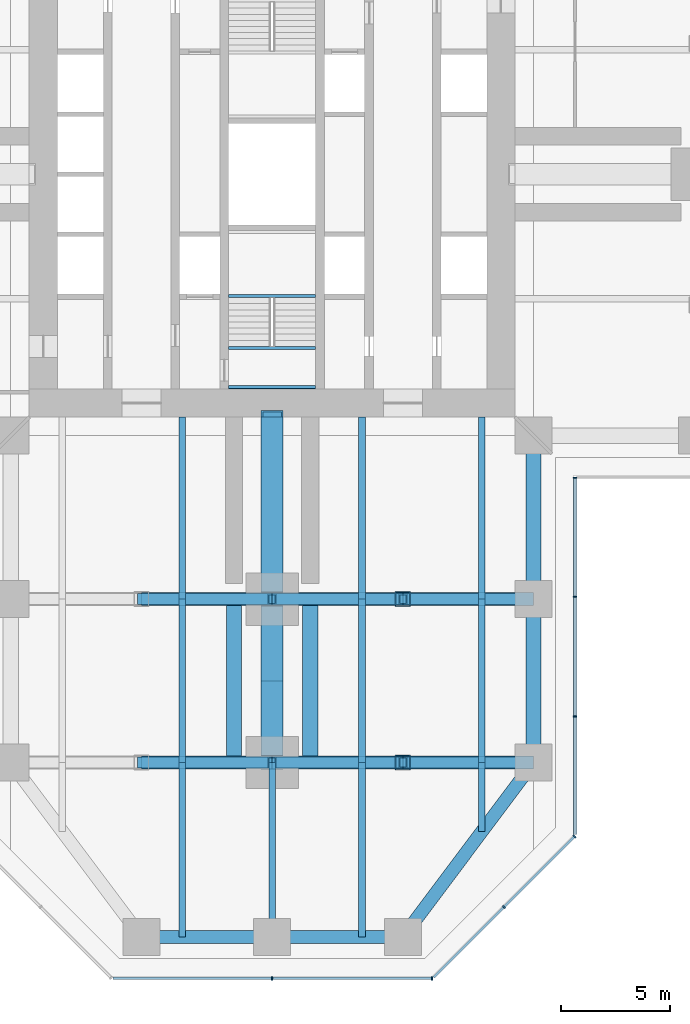
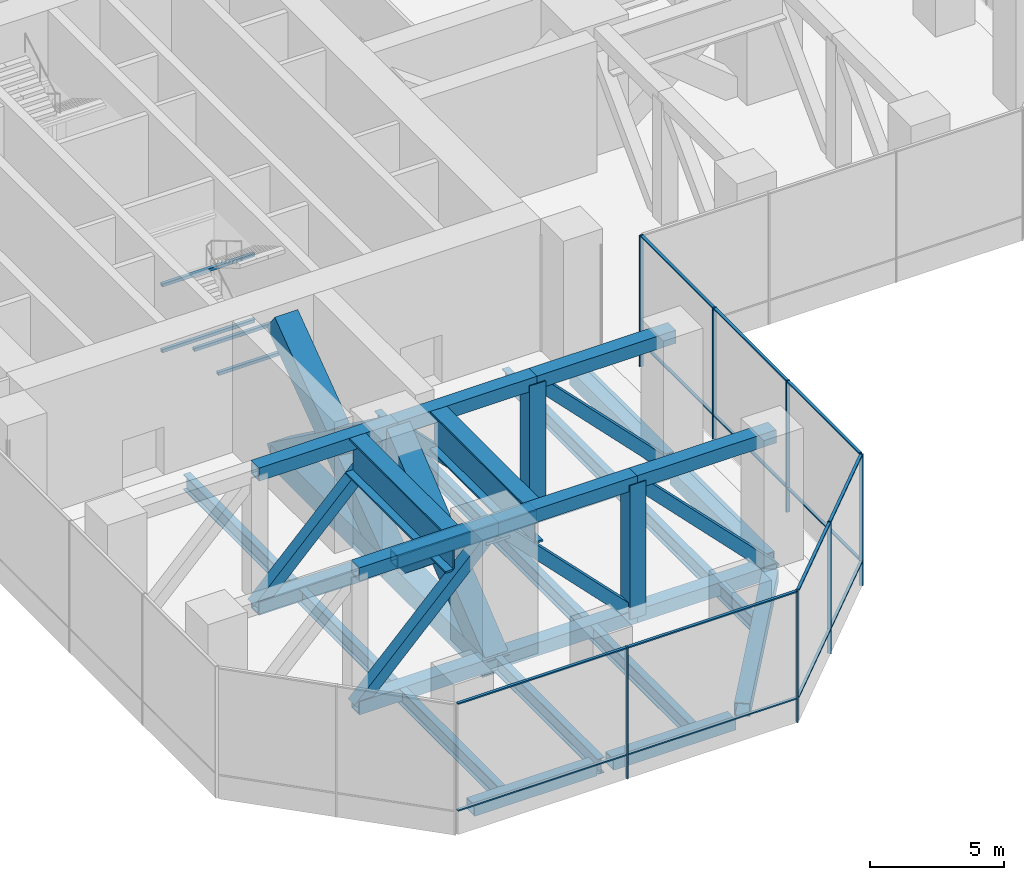
# One storey, part 4 of 19: 45 members, 23 beams, 3 elements without a shape of their own.
"""IFC4 building model written with IfcOpenShell, lengths in metres."""

from ifc_helpers import new_model, si_unit, direction, frame, origin, origin_2d, place, context, subcontext, project, spatial, rectangle, hollow_rectangle, i_section, extrude, material, material_profile, profile_set, type_object, element, aggregate, save


model = new_model("IFC4")

# Units and contexts
model_context = context("Model", 3, precision=1e-05, world=origin(), true_north=direction((0.0, 1.0)))
body_context = subcontext(model_context, "Body", "Model", "MODEL_VIEW")
ifc_project = project(units=[si_unit("LENGTHUNIT", "METRE"), si_unit("AREAUNIT", "SQUARE_METRE"), si_unit("VOLUMEUNIT", "CUBIC_METRE"), si_unit("PLANEANGLEUNIT", "RADIAN"), si_unit("MASSUNIT", "GRAM", prefix="KILO")], contexts=[model_context])

# Site, building, storey
site_placement = place(None, origin())
site = spatial("IfcSite", under=ifc_project, at=site_placement, CompositionType="ELEMENT")
building_placement = place(site_placement, origin())
building = spatial("IfcBuilding", under=site, at=building_placement, Name="Mizan Broadcast Tower", CompositionType="ELEMENT")
storey_placement = place(building_placement, frame((0.0, 0.0, 37.5)))
storey = spatial("IfcBuildingStorey", under=building, at=storey_placement, Name="L06", CompositionType="ELEMENT", Elevation=37.5)

# Members
ifc_material_1 = material(Name="Steel S460", Category="steel")
ifc_material_profile_1 = material_profile(ifc_material_1, hollow_rectangle(XDim=0.60009765625, YDim=0.60009765625, WallThickness=0.06005859375, at=origin_2d()), Name="BOX 600x600x60")
ifc_profile_set_1 = profile_set([ifc_material_profile_1], Name="Steel S460")
member_type_1 = type_object("IfcMemberType", Name="BELT TRUSS BT1 CHORD BOX 600x600x60", PredefinedType="CHORD", material=ifc_profile_set_1)
for number, where, z_axis, x_axis, name in (
    (1, (-6.0, -19.5, -0.550048828125), (1.0, 0.0, 0.0), (0.0, 1.0, 0.0), "Belt truss BT1-S19 bottom chord 2"),
    (2, (-6.0, -19.5, 5.570068359375), (1.0, 0.0, 0.0), (0.0, 1.0, 0.0), "Belt truss BT1-S19 top chord 2"),
    (3, (0.0, -19.5, -0.550048828125), (1.0, 0.0, 0.0), (0.0, 1.0, 0.0), "Belt truss BT1-S19 bottom chord 3"),
    (4, (0.0, -19.5, 5.570068359375), (1.0, 0.0, 0.0), (0.0, 1.0, 0.0), "Belt truss BT1-S19 top chord 3"),
    (5, (6.0, -19.5, -0.550048828125), (1.0, 0.0, 0.0), (0.0, 1.0, 0.0), "Belt truss BT1-S19 bottom chord 4"),
    (6, (6.0, -19.5, 5.570068359375), (1.0, 0.0, 0.0), (0.0, 1.0, 0.0), "Belt truss BT1-S19 top chord 4"),
    (7, (-6.0, -27.0, -0.550048828125), (1.0, 0.0, 0.0), (0.0, 1.0, 0.0), "Belt truss BT1-S27 bottom chord 2"),
    (8, (-6.0, -27.0, 5.570068359375), (1.0, 0.0, 0.0), (0.0, 1.0, 0.0), "Belt truss BT1-S27 top chord 2"),
    (9, (0.0, -27.0, -0.550048828125), (1.0, 0.0, 0.0), (0.0, 1.0, 0.0), "Belt truss BT1-S27 bottom chord 3"),
    (10, (0.0, -27.0, 5.570068359375), (1.0, 0.0, 0.0), (0.0, 1.0, 0.0), "Belt truss BT1-S27 top chord 3"),
    (11, (6.0, -27.0, -0.550048828125), (1.0, 0.0, 0.0), (0.0, 1.0, 0.0), "Belt truss BT1-S27 bottom chord 4"),
    (12, (6.0, -27.0, 5.570068359375), (1.0, 0.0, 0.0), (0.0, 1.0, 0.0), "Belt truss BT1-S27 top chord 4"),
):
    element("IfcMember", number, at=place(storey_placement, frame(where, z_axis=z_axis, x_axis=x_axis)), inside=storey, type_object=member_type_1, Name=name, PredefinedType="CHORD", context=body_context, shape_type="SweptSolid", body=[
        extrude(hollow_rectangle(XDim=0.60009765625, YDim=0.60009765625, WallThickness=0.06005859375, at=origin_2d()), origin(), (0.0, 0.0, 1.0), 6.0),
    ])
ifc_material_2 = material(Name="Steel S460", Category="steel")
ifc_material_profile_2 = material_profile(ifc_material_2, hollow_rectangle(XDim=0.5, YDim=0.5, WallThickness=0.050048828125, at=origin_2d()), Name="BOX 500x500x50")
ifc_profile_set_2 = profile_set([ifc_material_profile_2], Name="Steel S460")
member_type_2 = type_object("IfcMemberType", Name="BELT TRUSS BT1 DIAGONAL BOX 500x500x50", PredefinedType="BRACE", material=ifc_profile_set_2)
for number, where, z_axis, x_axis, name in (
    (13, (-6.0, -19.5, -0.550048828125), (0.700064575666, 0.0, 0.714079540316), (0.0, 1.0, 0.0), "Belt truss BT1-S19 diagonal 2"),
    (14, (6.0, -19.5, -0.550048828125), (-0.700064575666, 0.0, 0.714079540316), (0.0, -1.0, 0.0), "Belt truss BT1-S19 diagonal 3"),
    (15, (12.0, -19.5, -0.550048828125), (-0.700064575666, 0.0, 0.714079540316), (0.0, -1.0, 0.0), "Belt truss BT1-S19 diagonal 4"),
    (16, (-6.0, -27.0, -0.550048828125), (0.700064575666, 0.0, 0.714079540316), (0.0, 1.0, 0.0), "Belt truss BT1-S27 diagonal 2"),
    (17, (6.0, -27.0, -0.550048828125), (-0.700064575666, 0.0, 0.714079540316), (0.0, -1.0, 0.0), "Belt truss BT1-S27 diagonal 3"),
    (18, (12.0, -27.0, -0.550048828125), (-0.700064575666, 0.0, 0.714079540316), (0.0, -1.0, 0.0), "Belt truss BT1-S27 diagonal 4"),
):
    element("IfcMember", number, at=place(storey_placement, frame(where, z_axis=z_axis, x_axis=x_axis)), inside=storey, type_object=member_type_2, Name=name, PredefinedType="BRACE", context=body_context, shape_type="SweptSolid", body=[
        extrude(hollow_rectangle(XDim=0.5, YDim=0.5, WallThickness=0.050048828125, at=origin_2d()), origin(), (0.0, 0.0, 1.0), 8.570556640625),
    ])
ifc_material_3 = material(Name="Steel S460", Category="steel")
ifc_material_profile_3 = material_profile(ifc_material_3, hollow_rectangle(XDim=0.699951171875, YDim=0.699951171875, WallThickness=0.0400390625, at=origin_2d()), Name="BOX 700x700x40")
ifc_profile_set_3 = profile_set([ifc_material_profile_3], Name="Steel S460")
member_type_3 = type_object("IfcMemberType", Name="BELT TRUSS BT1 POST BOX 700x700x40", PredefinedType="POST", material=ifc_profile_set_3)
for number, where, z_axis, x_axis, name in (
    (19, (6.0, -19.5, -0.550048828125), (0.0, 0.0, 1.0), (1.0, 0.0, 0.0), "Belt truss BT1-S19 post 3"),
    (20, (6.0, -27.0, -0.550048828125), (0.0, 0.0, 1.0), (1.0, 0.0, 0.0), "Belt truss BT1-S27 post 3"),
):
    element("IfcMember", number, at=place(storey_placement, frame(where, z_axis=z_axis, x_axis=x_axis)), inside=storey, type_object=member_type_3, Name=name, PredefinedType="POST", context=body_context, shape_type="SweptSolid", body=[
        extrude(hollow_rectangle(XDim=0.699951171875, YDim=0.699951171875, WallThickness=0.0400390625, at=origin_2d()), origin(), (0.0, 0.0, 1.0), 6.1201171875),
    ])

# Beams
ifc_material_4 = material(Name="Steel S355", Category="steel")
ifc_material_profile_4 = material_profile(ifc_material_4, hollow_rectangle(XDim=0.60009765625, YDim=0.5, WallThickness=0.030029296875, at=origin_2d()), Name="BOX 500x600x30")
ifc_profile_set_4 = profile_set([ifc_material_profile_4], Name="Steel S355")
beam_type_1 = type_object("IfcBeamType", Name="EDGE BEAM BOX 500x600x30", PredefinedType="SPANDREL", material=ifc_profile_set_4)
for number, where, z_axis, x_axis, name in (
    (21, (-5.639892578125, -35.0, -0.5), (1.0, 0.0, 0.0), (0.0, 1.0, 0.0), "Edge beam BOX 500x600x30 L06 south arm"),
    (22, (5.639892578125, -35.0, -0.5), (-1.0, 0.0, 0.0), (0.0, -1.0, 0.0), "Edge beam BOX 500x600x30 L06 south arm"),
):
    element("IfcBeam", number, at=place(storey_placement, frame(where, z_axis=z_axis, x_axis=x_axis)), inside=storey, type_object=beam_type_1, Name=name, PredefinedType="SPANDREL", context=body_context, shape_type="SweptSolid", body=[
        extrude(hollow_rectangle(XDim=0.60009765625, YDim=0.5, WallThickness=0.030029296875, at=origin_2d()), origin(), (0.0, 0.0, 1.0), 5.27978515625),
    ])
ifc_material_5 = material(Name="Steel S355", Category="steel")
ifc_material_profile_5 = material_profile(ifc_material_5, hollow_rectangle(XDim=0.60009765625, YDim=0.60009765625, WallThickness=0.030029296875, at=origin_2d()), Name="BOX 600x600x30")
ifc_profile_set_5 = profile_set([ifc_material_profile_5], Name="Steel S355")
beam_type_2 = type_object("IfcBeamType", Name="EDGE BEAM BOX 600x600x30", PredefinedType="SPANDREL", material=ifc_profile_set_5)
beam_1_placement = place(storey_placement, frame((11.639892578125, -27.47998046875, -0.550048828125), z_axis=(-0.599982243973, -0.800013316712, 0.0), x_axis=(0.800013316712, -0.599982243973, 0.0)))
element("IfcBeam", 23, at=beam_1_placement, inside=storey, type_object=beam_type_2, Name="Edge beam BOX 600x600x30 L06 south arm", PredefinedType="SPANDREL", context=body_context, shape_type="SweptSolid", body=[
    extrude(hollow_rectangle(XDim=0.60009765625, YDim=0.60009765625, WallThickness=0.030029296875, at=origin_2d()), origin(), (0.0, 0.0, 1.0), 8.7998046875),
])
ifc_material_6 = material(Name="Steel S355", Category="steel")
ifc_material_profile_6 = material_profile(ifc_material_6, hollow_rectangle(XDim=0.699951171875, YDim=0.699951171875, WallThickness=0.0400390625, at=origin_2d()), Name="BOX 700x700x40")
ifc_profile_set_6 = profile_set([ifc_material_profile_6], Name="Steel S355")
beam_type_3 = type_object("IfcBeamType", Name="EDGE BEAM BOX 700x700x40", PredefinedType="SPANDREL", material=ifc_profile_set_6)
for number, where, z_axis, x_axis, name in (
    (24, (12.0, -12.449951171875, -0.60009765625), (0.0, -1.0, 0.0), (1.0, 0.0, 0.0), "Edge beam BOX 700x700x40 L06 south arm"),
    (25, (12.0, -19.949951171875, -0.60009765625), (0.0, -1.0, 0.0), (1.0, 0.0, 0.0), "Edge beam BOX 700x700x40 L06 south arm"),
):
    element("IfcBeam", number, at=place(storey_placement, frame(where, z_axis=z_axis, x_axis=x_axis)), inside=storey, type_object=beam_type_3, Name=name, PredefinedType="SPANDREL", context=body_context, shape_type="SweptSolid", body=[
        extrude(hollow_rectangle(XDim=0.699951171875, YDim=0.699951171875, WallThickness=0.0400390625, at=origin_2d()), origin(), (0.0, 0.0, 1.0), 6.60009765625),
    ])

# Curtain wall, members
ifc_material_7 = material(Name="Aluminium framed glazing", Category="aluminium")
curtain_wall_type = type_object("IfcCurtainWallType", Name="PLANT LOUVRE", PredefinedType="USERDEFINED", material=ifc_material_7)
curtain_wall_1_placement = place(storey_placement, origin())
curtain_wall_1 = element("IfcCurtainWall", 26, at=curtain_wall_1_placement, inside=storey, type_object=curtain_wall_type, Name="Plant louvre L06 S end", ObjectType="PLANT LOUVRE", PredefinedType="USERDEFINED")
ifc_material_8 = material(Name="Aluminium, pale anodised", Category="aluminium")
ifc_material_profile_7 = material_profile(ifc_material_8, rectangle(XDim=0.159912109375, YDim=0.06005859375, at=origin_2d()), Name="MULLION 160x60")
ifc_profile_set_7 = profile_set([ifc_material_profile_7], Name="Aluminium, pale anodised")
member_type_4 = type_object("IfcMemberType", Name="INNER SKIN MULLION 60x160", PredefinedType="MULLION", material=ifc_profile_set_7)
member_1_placement = place(storey_placement, frame((0.0, -36.89990234375, 0.0), z_axis=(0.0, 0.0, 1.0), x_axis=(0.0, 1.0, 0.0)))
member_1 = element("IfcMember", 27, at=member_1_placement, type_object=member_type_4, Name="Plant louvre L06 S end mullion 2", PredefinedType="MULLION", context=body_context, shape_type="SweptSolid", body=[
    extrude(rectangle(XDim=0.159912109375, YDim=0.06005859375, at=origin_2d()), origin(), (0.0, 0.0, 1.0), 6.0),
])
member_2_placement = place(storey_placement, frame((7.3427734375, -36.89990234375, 0.0), z_axis=(0.0, 0.0, 1.0), x_axis=(0.0, 1.0, 0.0)))
member_2 = element("IfcMember", 28, at=member_2_placement, type_object=member_type_4, Name="Plant louvre L06 S end mullion 3", PredefinedType="MULLION", context=body_context, shape_type="SweptSolid", body=[
    extrude(rectangle(XDim=0.159912109375, YDim=0.06005859375, at=origin_2d()), origin(), (0.0, 0.0, 1.0), 6.0),
])

curtain_wall_2_placement = place(storey_placement, origin())
curtain_wall_2 = element("IfcCurtainWall", 29, at=curtain_wall_2_placement, inside=storey, type_object=curtain_wall_type, Name="Plant louvre L06 S chamfer", ObjectType="PLANT LOUVRE", PredefinedType="USERDEFINED")
member_3_placement = place(storey_placement, frame((10.636474609375, -33.636474609375, 0.0), z_axis=(0.0, 0.0, 1.0), x_axis=(-0.707106781187, 0.707106781187, 0.0)))
member_3 = element("IfcMember", 30, at=member_3_placement, type_object=member_type_4, Name="Plant louvre L06 S chamfer mullion 2", PredefinedType="MULLION", context=body_context, shape_type="SweptSolid", body=[
    extrude(rectangle(XDim=0.159912109375, YDim=0.06005859375, at=origin_2d()), origin(), (0.0, 0.0, 1.0), 6.0),
])
member_4_placement = place(storey_placement, frame((13.87890625, -30.39404296875, 0.0), z_axis=(0.0, 0.0, 1.0), x_axis=(-0.707106781187, 0.707106781187, 0.0)))
member_4 = element("IfcMember", 31, at=member_4_placement, type_object=member_type_4, Name="Plant louvre L06 S chamfer mullion 3", PredefinedType="MULLION", context=body_context, shape_type="SweptSolid", body=[
    extrude(rectangle(XDim=0.159912109375, YDim=0.06005859375, at=origin_2d()), origin(), (0.0, 0.0, 1.0), 6.0),
])

curtain_wall_3_placement = place(storey_placement, origin())
curtain_wall_3 = element("IfcCurtainWall", 32, at=curtain_wall_3_placement, inside=storey, type_object=curtain_wall_type, Name="Plant louvre L06 S side", ObjectType="PLANT LOUVRE", PredefinedType="USERDEFINED")
member_5_placement = place(storey_placement, frame((13.89990234375, -24.8818359375, 0.0), z_axis=(0.0, 0.0, 1.0), x_axis=(-1.0, 0.0, 0.0)))
member_5 = element("IfcMember", 33, at=member_5_placement, type_object=member_type_4, Name="Plant louvre L06 S side mullion 2", PredefinedType="MULLION", context=body_context, shape_type="SweptSolid", body=[
    extrude(rectangle(XDim=0.159912109375, YDim=0.06005859375, at=origin_2d()), origin(), (0.0, 0.0, 1.0), 6.0),
])
member_6_placement = place(storey_placement, frame((13.89990234375, -19.390869140625, 0.0), z_axis=(0.0, 0.0, 1.0), x_axis=(-1.0, 0.0, 0.0)))
member_6 = element("IfcMember", 34, at=member_6_placement, type_object=member_type_4, Name="Plant louvre L06 S side mullion 3", PredefinedType="MULLION", context=body_context, shape_type="SweptSolid", body=[
    extrude(rectangle(XDim=0.159912109375, YDim=0.06005859375, at=origin_2d()), origin(), (0.0, 0.0, 1.0), 6.0),
])
member_7_placement = place(storey_placement, frame((13.89990234375, -13.929931640625, 0.0), z_axis=(0.0, 0.0, 1.0), x_axis=(-1.0, 0.0, 0.0)))
member_7 = element("IfcMember", 35, at=member_7_placement, type_object=member_type_4, Name="Plant louvre L06 S side mullion 4", PredefinedType="MULLION", context=body_context, shape_type="SweptSolid", body=[
    extrude(rectangle(XDim=0.159912109375, YDim=0.06005859375, at=origin_2d()), origin(), (0.0, 0.0, 1.0), 6.0),
])

# Member
ifc_material_9 = material(Name="Aluminium, pale anodised", Category="aluminium")
ifc_material_profile_8 = material_profile(ifc_material_9, rectangle(XDim=0.1201171875, YDim=0.06005859375, at=origin_2d()), Name="TRANSOM 120x60")
ifc_profile_set_8 = profile_set([ifc_material_profile_8], Name="Aluminium, pale anodised")
member_type_5 = type_object("IfcMemberType", Name="INNER SKIN TRANSOM 60x120", PredefinedType="USERDEFINED", material=ifc_profile_set_8)
member_8_placement = place(storey_placement, frame((-7.312744140625, -36.89990234375, 1.10009765625), z_axis=(1.0, 0.0, 0.0), x_axis=(0.0, 1.0, 0.0)))
member_8 = element("IfcMember", 36, at=member_8_placement, type_object=member_type_5, Name="Plant louvre L06 S end transom 1.1", ObjectType="TRANSOM", PredefinedType="USERDEFINED", context=body_context, shape_type="SweptSolid", body=[
    extrude(rectangle(XDim=0.1201171875, YDim=0.06005859375, at=origin_2d()), origin(), (0.0, 0.0, 1.0), 7.28271484375),
])

member_9_placement = place(storey_placement, frame((-7.312744140625, -36.89990234375, 5.969970703125), z_axis=(1.0, 0.0, 0.0), x_axis=(0.0, 1.0, 0.0)))
member_9 = element("IfcMember", 37, at=member_9_placement, type_object=member_type_5, Name="Plant louvre L06 S end transom 1.2", ObjectType="TRANSOM", PredefinedType="USERDEFINED", context=body_context, shape_type="SweptSolid", body=[
    extrude(rectangle(XDim=0.1201171875, YDim=0.06005859375, at=origin_2d()), origin(), (0.0, 0.0, 1.0), 7.28271484375),
])

member_10_placement = place(storey_placement, frame((0.030029296875, -36.89990234375, 1.10009765625), z_axis=(1.0, 0.0, 0.0), x_axis=(0.0, 1.0, 0.0)))
member_10 = element("IfcMember", 38, at=member_10_placement, type_object=member_type_5, Name="Plant louvre L06 S end transom 2.1", ObjectType="TRANSOM", PredefinedType="USERDEFINED", context=body_context, shape_type="SweptSolid", body=[
    extrude(rectangle(XDim=0.1201171875, YDim=0.06005859375, at=origin_2d()), origin(), (0.0, 0.0, 1.0), 7.28271484375),
])

member_11_placement = place(storey_placement, frame((0.030029296875, -36.89990234375, 5.969970703125), z_axis=(1.0, 0.0, 0.0), x_axis=(0.0, 1.0, 0.0)))
member_11 = element("IfcMember", 39, at=member_11_placement, type_object=member_type_5, Name="Plant louvre L06 S end transom 2.2", ObjectType="TRANSOM", PredefinedType="USERDEFINED", context=body_context, shape_type="SweptSolid", body=[
    extrude(rectangle(XDim=0.1201171875, YDim=0.06005859375, at=origin_2d()), origin(), (0.0, 0.0, 1.0), 7.28271484375),
])

aggregate(curtain_wall_1, [member_1, member_2, member_8, member_9, member_10, member_11])

member_12_placement = place(storey_placement, frame((7.415283203125, -36.857666015625, 1.10009765625), z_axis=(0.707106781187, 0.707106781187, 0.0), x_axis=(-0.707106781187, 0.707106781187, 0.0)))
member_12 = element("IfcMember", 40, at=member_12_placement, type_object=member_type_5, Name="Plant louvre L06 S chamfer transom 1.1", ObjectType="TRANSOM", PredefinedType="USERDEFINED", context=body_context, shape_type="SweptSolid", body=[
    extrude(rectangle(XDim=0.1201171875, YDim=0.06005859375, at=origin_2d()), origin(), (0.0, 0.0, 1.0), 4.525390625),
])

member_13_placement = place(storey_placement, frame((7.415283203125, -36.857666015625, 5.969970703125), z_axis=(0.707106781187, 0.707106781187, 0.0), x_axis=(-0.707106781187, 0.707106781187, 0.0)))
member_13 = element("IfcMember", 41, at=member_13_placement, type_object=member_type_5, Name="Plant louvre L06 S chamfer transom 1.2", ObjectType="TRANSOM", PredefinedType="USERDEFINED", context=body_context, shape_type="SweptSolid", body=[
    extrude(rectangle(XDim=0.1201171875, YDim=0.06005859375, at=origin_2d()), origin(), (0.0, 0.0, 1.0), 4.525390625),
])

member_14_placement = place(storey_placement, frame((10.65771484375, -33.615234375, 1.10009765625), z_axis=(0.707106781187, 0.707106781187, 0.0), x_axis=(-0.707106781187, 0.707106781187, 0.0)))
member_14 = element("IfcMember", 42, at=member_14_placement, type_object=member_type_5, Name="Plant louvre L06 S chamfer transom 2.1", ObjectType="TRANSOM", PredefinedType="USERDEFINED", context=body_context, shape_type="SweptSolid", body=[
    extrude(rectangle(XDim=0.1201171875, YDim=0.06005859375, at=origin_2d()), origin(), (0.0, 0.0, 1.0), 4.525390625),
])

member_15_placement = place(storey_placement, frame((10.65771484375, -33.615234375, 5.969970703125), z_axis=(0.707106781187, 0.707106781187, 0.0), x_axis=(-0.707106781187, 0.707106781187, 0.0)))
member_15 = element("IfcMember", 43, at=member_15_placement, type_object=member_type_5, Name="Plant louvre L06 S chamfer transom 2.2", ObjectType="TRANSOM", PredefinedType="USERDEFINED", context=body_context, shape_type="SweptSolid", body=[
    extrude(rectangle(XDim=0.1201171875, YDim=0.06005859375, at=origin_2d()), origin(), (0.0, 0.0, 1.0), 4.525390625),
])

aggregate(curtain_wall_2, [member_3, member_4, member_12, member_13, member_14, member_15])

member_16_placement = place(storey_placement, frame((13.89990234375, -30.312744140625, 1.10009765625), z_axis=(0.0, 1.0, 0.0), x_axis=(-1.0, 0.0, 0.0)))
member_16 = element("IfcMember", 44, at=member_16_placement, type_object=member_type_5, Name="Plant louvre L06 S side transom 1.1", ObjectType="TRANSOM", PredefinedType="USERDEFINED", context=body_context, shape_type="SweptSolid", body=[
    extrude(rectangle(XDim=0.1201171875, YDim=0.06005859375, at=origin_2d()), origin(), (0.0, 0.0, 1.0), 5.40087890625),
])

member_17_placement = place(storey_placement, frame((13.89990234375, -30.312744140625, 5.969970703125), z_axis=(0.0, 1.0, 0.0), x_axis=(-1.0, 0.0, 0.0)))
member_17 = element("IfcMember", 45, at=member_17_placement, type_object=member_type_5, Name="Plant louvre L06 S side transom 1.2", ObjectType="TRANSOM", PredefinedType="USERDEFINED", context=body_context, shape_type="SweptSolid", body=[
    extrude(rectangle(XDim=0.1201171875, YDim=0.06005859375, at=origin_2d()), origin(), (0.0, 0.0, 1.0), 5.40087890625),
])

member_18_placement = place(storey_placement, frame((13.89990234375, -24.851806640625, 1.10009765625), z_axis=(0.0, 1.0, 0.0), x_axis=(-1.0, 0.0, 0.0)))
member_18 = element("IfcMember", 46, at=member_18_placement, type_object=member_type_5, Name="Plant louvre L06 S side transom 2.1", ObjectType="TRANSOM", PredefinedType="USERDEFINED", context=body_context, shape_type="SweptSolid", body=[
    extrude(rectangle(XDim=0.1201171875, YDim=0.06005859375, at=origin_2d()), origin(), (0.0, 0.0, 1.0), 5.430908203125),
])

member_19_placement = place(storey_placement, frame((13.89990234375, -24.851806640625, 5.969970703125), z_axis=(0.0, 1.0, 0.0), x_axis=(-1.0, 0.0, 0.0)))
member_19 = element("IfcMember", 47, at=member_19_placement, type_object=member_type_5, Name="Plant louvre L06 S side transom 2.2", ObjectType="TRANSOM", PredefinedType="USERDEFINED", context=body_context, shape_type="SweptSolid", body=[
    extrude(rectangle(XDim=0.1201171875, YDim=0.06005859375, at=origin_2d()), origin(), (0.0, 0.0, 1.0), 5.430908203125),
])

member_20_placement = place(storey_placement, frame((13.89990234375, -19.36083984375, 1.10009765625), z_axis=(0.0, 1.0, 0.0), x_axis=(-1.0, 0.0, 0.0)))
member_20 = element("IfcMember", 48, at=member_20_placement, type_object=member_type_5, Name="Plant louvre L06 S side transom 3.1", ObjectType="TRANSOM", PredefinedType="USERDEFINED", context=body_context, shape_type="SweptSolid", body=[
    extrude(rectangle(XDim=0.1201171875, YDim=0.06005859375, at=origin_2d()), origin(), (0.0, 0.0, 1.0), 5.40087890625),
])

member_21_placement = place(storey_placement, frame((13.89990234375, -19.36083984375, 5.969970703125), z_axis=(0.0, 1.0, 0.0), x_axis=(-1.0, 0.0, 0.0)))
member_21 = element("IfcMember", 49, at=member_21_placement, type_object=member_type_5, Name="Plant louvre L06 S side transom 3.2", ObjectType="TRANSOM", PredefinedType="USERDEFINED", context=body_context, shape_type="SweptSolid", body=[
    extrude(rectangle(XDim=0.1201171875, YDim=0.06005859375, at=origin_2d()), origin(), (0.0, 0.0, 1.0), 5.40087890625),
])

aggregate(curtain_wall_3, [member_5, member_6, member_7, member_16, member_17, member_18, member_19, member_20, member_21])

# Beams
ifc_material_10 = material(Name="Steel S355", Category="steel")
ifc_material_profile_9 = material_profile(ifc_material_10, hollow_rectangle(XDim=0.14990234375, YDim=0.14990234375, WallThickness=0.008056640625, InnerFilletRadius=0.008056640625, OuterFilletRadius=0.011962890625, at=origin_2d()), Name="SHS 150x150x8")
ifc_profile_set_9 = profile_set([ifc_material_profile_9], Name="Steel S355")
beam_type_4 = type_object("IfcBeamType", Name="LANDING TRIMMER SHS 150x150x8", PredefinedType="BEAM", material=ifc_profile_set_9)
for number, where, z_axis, x_axis, name in (
    (50, (-2.0, -5.5849609375, 1.22509765625), (1.0, 0.0, 0.0), (0.0, 1.0, 0.0), "Stair A landing trimmer L06"),
    (51, (-2.0, -9.77490234375, 2.72509765625), (1.0, 0.0, 0.0), (0.0, 1.0, 0.0), "Stair A landing trimmer L06"),
    (52, (-2.0, -7.97509765625, 2.72509765625), (1.0, 0.0, 0.0), (0.0, 1.0, 0.0), "Stair A landing trimmer L06"),
    (53, (-2.0, -5.5849609375, 4.22509765625), (1.0, 0.0, 0.0), (0.0, 1.0, 0.0), "Stair A landing trimmer L06"),
):
    element("IfcBeam", number, at=place(storey_placement, frame(where, z_axis=z_axis, x_axis=x_axis)), inside=storey, type_object=beam_type_4, Name=name, PredefinedType="BEAM", context=body_context, shape_type="SweptSolid", body=[
        extrude(hollow_rectangle(XDim=0.14990234375, YDim=0.14990234375, WallThickness=0.008056640625, InnerFilletRadius=0.008056640625, OuterFilletRadius=0.011962890625, at=origin_2d()), origin(), (0.0, 0.0, 1.0), 4.0),
    ])
ifc_material_11 = material(Name="Steel S460", Category="steel")
ifc_material_profile_10 = material_profile(ifc_material_11, hollow_rectangle(XDim=1.0, YDim=1.0, WallThickness=0.080078125, at=origin_2d()), Name="BOX 1000x1000x80")
ifc_profile_set_10 = profile_set([ifc_material_profile_10], Name="Steel S460")
beam_type_5 = type_object("IfcBeamType", Name="OUTRIGGER TRUSS OT1 CHORD BOX 1000x1000x80", PredefinedType="BEAM", material=ifc_profile_set_10)
beam_2_placement = place(storey_placement, frame((0.0, -11.14990234375, -0.75), z_axis=(0.0, -1.0, 0.0), x_axis=(1.0, 0.0, 0.0)))
element("IfcBeam", 54, at=beam_2_placement, inside=storey, type_object=beam_type_5, Name="Outrigger truss OT1-S bottom chord 1", PredefinedType="BEAM", context=body_context, shape_type="SweptSolid", body=[
    extrude(hollow_rectangle(XDim=1.0, YDim=1.0, WallThickness=0.080078125, at=origin_2d()), origin(), (0.0, 0.0, 1.0), 8.35009765625),
])
beam_3_placement = place(storey_placement, frame((0.0, -19.5, -0.75), z_axis=(0.0, -1.0, 0.0), x_axis=(1.0, 0.0, 0.0)))
element("IfcBeam", 55, at=beam_3_placement, inside=storey, type_object=beam_type_5, Name="Outrigger truss OT1-S bottom chord 2", PredefinedType="BEAM", context=body_context, shape_type="SweptSolid", body=[
    extrude(hollow_rectangle(XDim=1.0, YDim=1.0, WallThickness=0.080078125, at=origin_2d()), origin(), (0.0, 0.0, 1.0), 7.5),
])

# Members
ifc_material_12 = material(Name="Steel S460", Category="steel")
ifc_material_profile_11 = material_profile(ifc_material_12, hollow_rectangle(XDim=1.0, YDim=1.0, WallThickness=0.080078125, at=origin_2d()), Name="BOX 1000x1000x80")
ifc_profile_set_11 = profile_set([ifc_material_profile_11], Name="Steel S460")
member_type_6 = type_object("IfcMemberType", Name="OUTRIGGER TRUSS OT1 DIAGONAL BOX 1000x1000x80", PredefinedType="BRACE", material=ifc_profile_set_11)
for number, where, z_axis, x_axis, name in (
    (56, (0.0, -11.14990234375, -0.75), (0.0, -0.806556413109, 0.591157130104), (1.0, 0.0, 0.0), "Outrigger truss OT1-S panel 1 diagonal 1"),
    (57, (0.0, -11.14990234375, 5.3701171875), (0.0, -0.806556413109, -0.591157130104), (1.0, 0.0, 0.0), "Outrigger truss OT1-S panel 1 diagonal 2"),
):
    element("IfcMember", number, at=place(storey_placement, frame(where, z_axis=z_axis, x_axis=x_axis)), inside=storey, type_object=member_type_6, Name=name, PredefinedType="BRACE", context=body_context, shape_type="SweptSolid", body=[
        extrude(hollow_rectangle(XDim=1.0, YDim=1.0, WallThickness=0.080078125, at=origin_2d()), origin(), (0.0, 0.0, 1.0), 10.352783203125),
    ])
for number, where, z_axis, x_axis, name in (
    (58, (0.0, -19.5, -0.75), (0.0, -0.774779189922, 0.632231924901), (1.0, 0.0, 0.0), "Outrigger truss OT1-S panel 2 diagonal 1"),
    (59, (0.0, -19.5, 5.3701171875), (0.0, -0.774779189922, -0.632231924901), (1.0, 0.0, 0.0), "Outrigger truss OT1-S panel 2 diagonal 2"),
):
    element("IfcMember", number, at=place(storey_placement, frame(where, z_axis=z_axis, x_axis=x_axis)), inside=storey, type_object=member_type_6, Name=name, PredefinedType="BRACE", context=body_context, shape_type="SweptSolid", body=[
        extrude(hollow_rectangle(XDim=1.0, YDim=1.0, WallThickness=0.080078125, at=origin_2d()), origin(), (0.0, 0.0, 1.0), 9.68017578125),
    ])

# Beams
ifc_material_13 = material(Name="Steel S355", Category="steel")
ifc_material_profile_12 = material_profile(ifc_material_13, i_section(OverallWidth=0.300048828125, OverallDepth=0.699951171875, WebThickness=0.01708984375, FlangeThickness=0.031982421875, FilletRadius=0.027099609375, at=origin_2d()), Name="HEB 700")
ifc_profile_set_12 = profile_set([ifc_material_profile_12], Name="Steel S355")
beam_type_6 = type_object("IfcBeamType", Name="SECONDARY BEAM HEB 700", PredefinedType="JOIST", material=ifc_profile_set_12)
beam_4_placement = place(storey_placement, frame((-4.125, -11.14990234375, -0.60009765625), z_axis=(0.0, -1.0, 0.0), x_axis=(1.0, 0.0, 0.0)))
element("IfcBeam", 60, at=beam_4_placement, inside=storey, type_object=beam_type_6, Name="Secondary beam HEB 700 L06 south arm", PredefinedType="JOIST", context=body_context, shape_type="SweptSolid", body=[
    extrude(i_section(OverallWidth=0.300048828125, OverallDepth=0.699951171875, WebThickness=0.01708984375, FlangeThickness=0.031982421875, FilletRadius=0.027099609375, at=origin_2d()), origin(), (0.0, 0.0, 1.0), 8.35009765625),
])
beam_5_placement = place(storey_placement, frame((-4.125, -19.5, -0.60009765625), z_axis=(0.0, -1.0, 0.0), x_axis=(1.0, 0.0, 0.0)))
element("IfcBeam", 61, at=beam_5_placement, inside=storey, type_object=beam_type_6, Name="Secondary beam HEB 700 L06 south arm", PredefinedType="JOIST", context=body_context, shape_type="SweptSolid", body=[
    extrude(i_section(OverallWidth=0.300048828125, OverallDepth=0.699951171875, WebThickness=0.01708984375, FlangeThickness=0.031982421875, FilletRadius=0.027099609375, at=origin_2d()), origin(), (0.0, 0.0, 1.0), 7.5),
])
for number, where, z_axis, x_axis, name in (
    (62, (-4.125, -27.0, -0.60009765625), (0.0, -1.0, 0.0), (1.0, 0.0, 0.0), "Secondary beam HEB 700 L06 south arm"),
    (63, (0.0, -27.0, -0.60009765625), (0.0, -1.0, 0.0), (1.0, 0.0, 0.0), "Secondary beam HEB 700 L06 south arm"),
):
    element("IfcBeam", number, at=place(storey_placement, frame(where, z_axis=z_axis, x_axis=x_axis)), inside=storey, type_object=beam_type_6, Name=name, PredefinedType="JOIST", context=body_context, shape_type="SweptSolid", body=[
        extrude(i_section(OverallWidth=0.300048828125, OverallDepth=0.699951171875, WebThickness=0.01708984375, FlangeThickness=0.031982421875, FilletRadius=0.027099609375, at=origin_2d()), origin(), (0.0, 0.0, 1.0), 8.0),
    ])
beam_6_placement = place(storey_placement, frame((4.125, -11.14990234375, -0.60009765625), z_axis=(0.0, -1.0, 0.0), x_axis=(1.0, 0.0, 0.0)))
element("IfcBeam", 64, at=beam_6_placement, inside=storey, type_object=beam_type_6, Name="Secondary beam HEB 700 L06 south arm", PredefinedType="JOIST", context=body_context, shape_type="SweptSolid", body=[
    extrude(i_section(OverallWidth=0.300048828125, OverallDepth=0.699951171875, WebThickness=0.01708984375, FlangeThickness=0.031982421875, FilletRadius=0.027099609375, at=origin_2d()), origin(), (0.0, 0.0, 1.0), 8.35009765625),
])
beam_7_placement = place(storey_placement, frame((4.125, -19.5, -0.60009765625), z_axis=(0.0, -1.0, 0.0), x_axis=(1.0, 0.0, 0.0)))
element("IfcBeam", 65, at=beam_7_placement, inside=storey, type_object=beam_type_6, Name="Secondary beam HEB 700 L06 south arm", PredefinedType="JOIST", context=body_context, shape_type="SweptSolid", body=[
    extrude(i_section(OverallWidth=0.300048828125, OverallDepth=0.699951171875, WebThickness=0.01708984375, FlangeThickness=0.031982421875, FilletRadius=0.027099609375, at=origin_2d()), origin(), (0.0, 0.0, 1.0), 7.5),
])
beam_8_placement = place(storey_placement, frame((4.125, -27.0, -0.60009765625), z_axis=(0.0, -1.0, 0.0), x_axis=(1.0, 0.0, 0.0)))
element("IfcBeam", 66, at=beam_8_placement, inside=storey, type_object=beam_type_6, Name="Secondary beam HEB 700 L06 south arm", PredefinedType="JOIST", context=body_context, shape_type="SweptSolid", body=[
    extrude(i_section(OverallWidth=0.300048828125, OverallDepth=0.699951171875, WebThickness=0.01708984375, FlangeThickness=0.031982421875, FilletRadius=0.027099609375, at=origin_2d()), origin(), (0.0, 0.0, 1.0), 8.0),
])
beam_9_placement = place(storey_placement, frame((9.625, -11.14990234375, -0.60009765625), z_axis=(0.0, -1.0, 0.0), x_axis=(1.0, 0.0, 0.0)))
element("IfcBeam", 67, at=beam_9_placement, inside=storey, type_object=beam_type_6, Name="Secondary beam HEB 700 L06 south arm", PredefinedType="JOIST", context=body_context, shape_type="SweptSolid", body=[
    extrude(i_section(OverallWidth=0.300048828125, OverallDepth=0.699951171875, WebThickness=0.01708984375, FlangeThickness=0.031982421875, FilletRadius=0.027099609375, at=origin_2d()), origin(), (0.0, 0.0, 1.0), 8.35009765625),
])
beam_10_placement = place(storey_placement, frame((9.625, -19.5, -0.60009765625), z_axis=(0.0, -1.0, 0.0), x_axis=(1.0, 0.0, 0.0)))
element("IfcBeam", 68, at=beam_10_placement, inside=storey, type_object=beam_type_6, Name="Secondary beam HEB 700 L06 south arm", PredefinedType="JOIST", context=body_context, shape_type="SweptSolid", body=[
    extrude(i_section(OverallWidth=0.300048828125, OverallDepth=0.699951171875, WebThickness=0.01708984375, FlangeThickness=0.031982421875, FilletRadius=0.027099609375, at=origin_2d()), origin(), (0.0, 0.0, 1.0), 7.5),
])
beam_11_placement = place(storey_placement, frame((9.625, -27.0, -0.60009765625), z_axis=(0.0, -1.0, 0.0), x_axis=(1.0, 0.0, 0.0)))
element("IfcBeam", 69, at=beam_11_placement, inside=storey, type_object=beam_type_6, Name="Secondary beam HEB 700 L06 south arm", PredefinedType="JOIST", context=body_context, shape_type="SweptSolid", body=[
    extrude(i_section(OverallWidth=0.300048828125, OverallDepth=0.699951171875, WebThickness=0.01708984375, FlangeThickness=0.031982421875, FilletRadius=0.027099609375, at=origin_2d()), origin(), (0.0, 0.0, 1.0), 3.166748046875),
])
ifc_material_14 = material(Name="Steel S460", Category="steel")
ifc_material_profile_13 = material_profile(ifc_material_14, i_section(OverallWidth=0.699951171875, OverallDepth=1.800048828125, WebThickness=0.044921875, FlangeThickness=0.080078125, at=origin_2d()), Name="WPG 1800x700")
ifc_profile_set_13 = profile_set([ifc_material_profile_13], Name="Steel S460")
beam_type_7 = type_object("IfcBeamType", Name="SPINE TRANSFER GIRDER WPG 1800x700", PredefinedType="BEAM", material=ifc_profile_set_13)
for number, where, z_axis, x_axis, name in (
    (70, (-1.75, -19.5, 4.969970703125), (0.0, -1.0, 0.0), (1.0, 0.0, 0.0), "Spine transfer girder SR L07"),
    (71, (1.75, -19.5, 4.969970703125), (0.0, -1.0, 0.0), (1.0, 0.0, 0.0), "Spine transfer girder SL L07"),
):
    element("IfcBeam", number, at=place(storey_placement, frame(where, z_axis=z_axis, x_axis=x_axis)), inside=storey, type_object=beam_type_7, Name=name, PredefinedType="BEAM", context=body_context, shape_type="SweptSolid", body=[
        extrude(i_section(OverallWidth=0.699951171875, OverallDepth=1.800048828125, WebThickness=0.044921875, FlangeThickness=0.080078125, at=origin_2d()), origin(), (0.0, 0.0, 1.0), 7.5),
    ])

save(model, "model.ifc")
